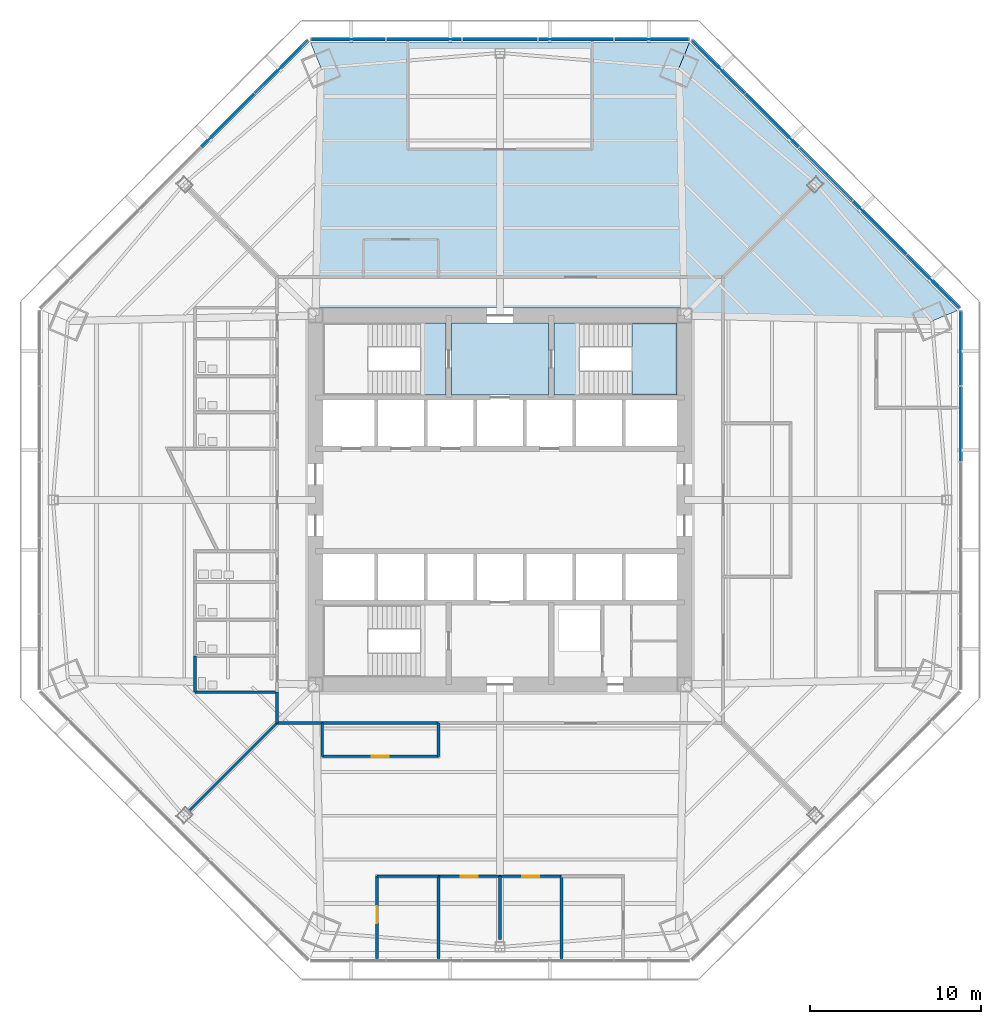
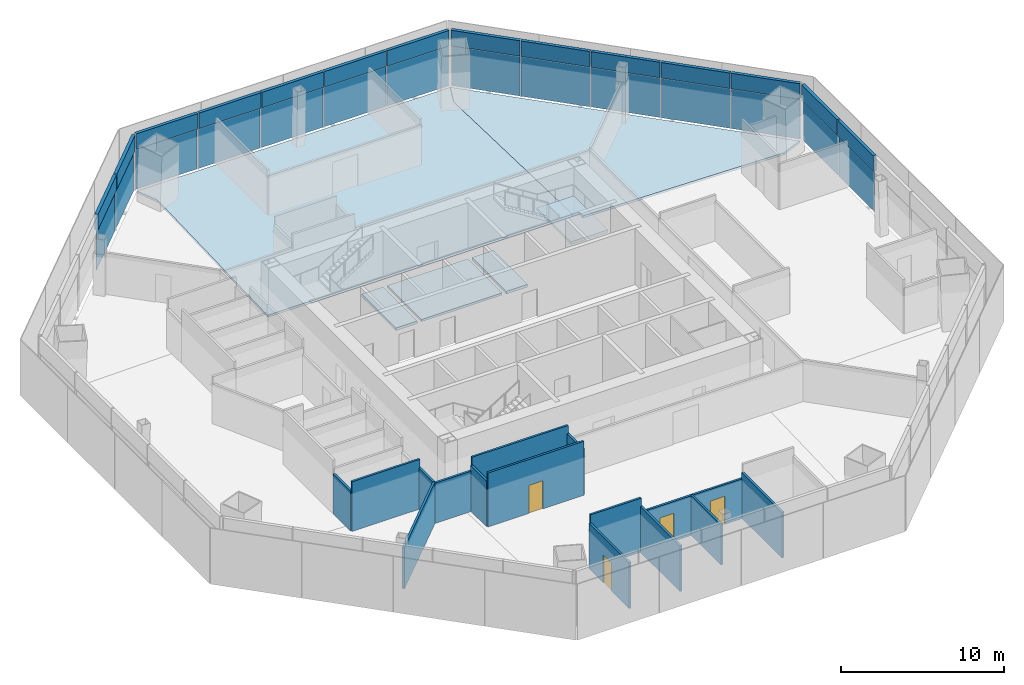
# One storey, part 8 of 15: 28 plates, 15 walls, 6 slabs, 4 doors, 4 openings, 6 elements without a shape of their own.
"""IFC4 building model written with IfcOpenShell, lengths in metres."""

from ifc_helpers import new_model, si_unit, direction, frame, frame_2d, origin, origin_2d, place, context, subcontext, project, spatial, polyline, rectangle, outline, extrude, source, transform, mapped, material, layer, layer_set, type_object, type_shapes, element, fill, aggregate, save


model = new_model("IFC4")

# Units and contexts
model_context = context("Model", 3, precision=1e-05, world=origin(), true_north=direction((0.0, 1.0)))
body_context = subcontext(model_context, "Body", "Model", "MODEL_VIEW")
ifc_project = project(units=[si_unit("LENGTHUNIT", "METRE"), si_unit("AREAUNIT", "SQUARE_METRE"), si_unit("VOLUMEUNIT", "CUBIC_METRE"), si_unit("PLANEANGLEUNIT", "RADIAN"), si_unit("MASSUNIT", "GRAM", prefix="KILO")], contexts=[model_context])

# Site, building, storey
site_placement = place(None, origin())
site = spatial("IfcSite", under=ifc_project, at=site_placement, CompositionType="ELEMENT")
building_placement = place(site_placement, origin())
building = spatial("IfcBuilding", under=site, at=building_placement, Name="Mashrafa Tower", CompositionType="ELEMENT")
storey_placement = place(building_placement, frame((0.0, 0.0, 37.199951171875)))
storey = spatial("IfcBuildingStorey", under=building, at=storey_placement, Name="L07", CompositionType="ELEMENT", Elevation=37.199951171875)

# Slabs
ifc_material_1 = material(Name="Concrete C35/45", Category="concrete")
ifc_layer_1 = layer(ifc_material_1, 0.1650390625)
ifc_layer_set_1 = layer_set([ifc_layer_1], Name="Floor slab 165")
slab_type_1 = type_object("IfcSlabType", Name="Floor slab 165", PredefinedType="FLOOR", material=ifc_layer_set_1)
slab_1_placement = place(storey_placement, frame((0.0, 0.0, -0.1650390625)))
element("IfcSlab", 1, at=slab_1_placement, inside=storey, type_object=slab_type_1, Name="Floor slab L07 north-east bay", PredefinedType="FLOOR", context=body_context, shape_type="SweptSolid", body=[
    extrude(outline(polyline([(26.762451171875, 11.08544921875), (25.288818359375, 10.47509765625), (11.25, 10.789794921875), (11.25, 11.25), (10.789794921875, 11.25), (10.47509765625, 25.288818359375), (11.08544921875, 26.762451171875), (26.762451171875, 11.08544921875)])), origin(), (0.0, 0.0, 1.0), 0.1650390625),
])
slab_2_placement = place(storey_placement, frame((0.0, 0.0, -0.1650390625)))
element("IfcSlab", 2, at=slab_2_placement, inside=storey, type_object=slab_type_1, Name="Floor slab L07 north bay", PredefinedType="FLOOR", context=body_context, shape_type="SweptSolid", body=[
    extrude(outline(polyline([(-11.08544921875, 26.762451171875), (11.08544921875, 26.762451171875), (11.08544921875, 26.762451171875), (10.47509765625, 25.288818359375), (10.789794921875, 11.25), (-10.789794921875, 11.25), (-10.47509765625, 25.288818359375), (-11.08544921875, 26.762451171875), (-11.08544921875, 26.762451171875)])), origin(), (0.0, 0.0, 1.0), 0.1650390625),
])
slab_3_placement = place(storey_placement, frame((0.0, 0.0, -0.1650390625)))
element("IfcSlab", 3, at=slab_3_placement, inside=storey, type_object=slab_type_1, Name="Core floor fire-fighting lobby north L07", PredefinedType="FLOOR", context=body_context, shape_type="SweptSolid", body=[
    extrude(outline(polyline([(-2.85009765625, 10.35009765625), (2.85009765625, 10.35009765625), (2.85009765625, 6.14990234375), (-2.85009765625, 6.14990234375), (-2.85009765625, 10.35009765625)])), origin(), (0.0, 0.0, 1.0), 0.1650390625),
])

# Stair, slab
ifc_material_2 = material(Name="Exit stair 1400")
stair_type = type_object("IfcStairType", Name="Exit stair 1400", PredefinedType="HALF_TURN_STAIR", material=ifc_material_2)
stair_1_placement = place(storey_placement, origin())
stair_1 = element("IfcStair", 4, at=stair_1_placement, inside=storey, type_object=stair_type, Name="Stair S1 L07", PredefinedType="HALF_TURN_STAIR")
ifc_material_3 = material(Name="Concrete C32/40", Category="concrete")
ifc_layer_2 = layer(ifc_material_3, 0.199951171875)
ifc_layer_set_2 = layer_set([ifc_layer_2], Name="Stair landing 200")
slab_type_2 = type_object("IfcSlabType", Name="Stair landing 200", PredefinedType="LANDING", material=ifc_layer_set_2)
slab_4_placement = place(storey_placement, frame((0.0, 0.0, -0.199951171875)))
slab_4 = element("IfcSlab", 5, at=slab_4_placement, type_object=slab_type_2, Name="S1 landing 1", PredefinedType="LANDING", context=body_context, shape_type="SweptSolid", body=[
    extrude(outline(polyline([(-4.659912109375, 6.14990234375), (-3.14990234375, 6.14990234375), (-3.14990234375, 10.35009765625), (-4.659912109375, 10.35009765625), (-4.659912109375, 6.14990234375)])), origin(), (0.0, 0.0, 1.0), 0.199951171875),
])
aggregate(stair_1, [slab_4])

# Stair, slabs
stair_2_placement = place(storey_placement, origin())
stair_2 = element("IfcStair", 6, at=stair_2_placement, inside=storey, type_object=stair_type, Name="Stair S2 L07", PredefinedType="HALF_TURN_STAIR")
slab_5_placement = place(storey_placement, frame((0.0, 0.0, -0.199951171875)))
slab_5 = element("IfcSlab", 7, at=slab_5_placement, type_object=slab_type_2, Name="S2 landing 1", PredefinedType="LANDING", context=body_context, shape_type="SweptSolid", body=[
    extrude(outline(polyline([(3.14990234375, 6.14990234375), (4.659912109375, 6.14990234375), (4.659912109375, 10.35009765625), (3.14990234375, 10.35009765625), (3.14990234375, 6.14990234375)])), origin(), (0.0, 0.0, 1.0), 0.199951171875),
])
slab_6_placement = place(storey_placement, frame((0.0, 0.0, 1.900146484375)))
slab_6 = element("IfcSlab", 8, at=slab_6_placement, type_object=slab_type_2, Name="S2 landing 2", PredefinedType="LANDING", context=body_context, shape_type="SweptSolid", body=[
    extrude(outline(polyline([(7.719970703125, 6.14990234375), (10.35009765625, 6.14990234375), (10.35009765625, 10.35009765625), (7.719970703125, 10.35009765625), (7.719970703125, 6.14990234375)])), origin(), (0.0, 0.0, 1.0), 0.199951171875),
])
aggregate(stair_2, [slab_5, slab_6])

# Curtain wall, plate
ifc_material_4 = material(Name="Unitised aluminium curtain wall", Category="aluminium")
curtain_wall_type = type_object("IfcCurtainWallType", Name="Office curtain wall, zone 1 CW-A 200 deep", PredefinedType="NOTDEFINED", material=ifc_material_4)
curtain_wall_1_placement = place(storey_placement, origin())
curtain_wall_1 = element("IfcCurtainWall", 9, at=curtain_wall_1_placement, inside=storey, type_object=curtain_wall_type, Name="Office curtain wall, zone 1 L07 east", PredefinedType="NOTDEFINED")
ifc_material_5 = material(Name="Insulated double glazing, low-e, neutral", Category="glass")
ifc_layer_3 = layer(ifc_material_5, 0.028076171875)
ifc_layer_set_3 = layer_set([ifc_layer_3], Name="Vision panel CW-A 28")
plate_type_1 = type_object("IfcPlateType", Name="Vision panel CW-A 28", PredefinedType="CURTAIN_PANEL", material=ifc_layer_set_3)
shared_shape_1 = source(origin(), body_context, "Body", "SweptSolid", [
    extrude(rectangle(XDim=4.34912109375, YDim=0.028076171875, at=origin_2d()), origin(), (0.0, 0.0, 1.0), 2.9599609375),
])
plate_1_placement = place(storey_placement, frame((26.96240234375, 8.877197265625, 0.0), z_axis=(0.0, 0.0, 1.0), x_axis=(0.0, 1.0, 0.0)))
plate_1 = element("IfcPlate", 10, at=plate_1_placement, type_object=plate_type_1, Name="CW-A vision panel 5", PredefinedType="CURTAIN_PANEL", context=body_context, shape_type="MappedRepresentation", body=[
    mapped(shared_shape_1, transform((0.0, 0.0, 0.0))),
])

# Curtain wall, plates
curtain_wall_2_placement = place(storey_placement, origin())
curtain_wall_2 = element("IfcCurtainWall", 11, at=curtain_wall_2_placement, inside=storey, type_object=curtain_wall_type, Name="Office curtain wall, zone 1 L07 north-east", PredefinedType="NOTDEFINED")
plate_2_placement = place(storey_placement, frame((25.34228515625, 12.7880859375, 0.0), z_axis=(0.0, 0.0, 1.0), x_axis=(-0.707106781187, 0.707106781187, 0.0)))
plate_2 = element("IfcPlate", 12, at=plate_2_placement, type_object=plate_type_1, Name="CW-A vision panel 1", PredefinedType="CURTAIN_PANEL", context=body_context, shape_type="MappedRepresentation", body=[
    mapped(shared_shape_1, transform((0.0, 0.0, 0.0))),
])
plate_3_placement = place(storey_placement, frame((12.7880859375, 25.34228515625, 0.0), z_axis=(0.0, 0.0, 1.0), x_axis=(-0.707106781187, 0.707106781187, 0.0)))
plate_3 = element("IfcPlate", 13, at=plate_3_placement, type_object=plate_type_1, Name="CW-A vision panel 5", PredefinedType="CURTAIN_PANEL", context=body_context, shape_type="MappedRepresentation", body=[
    mapped(shared_shape_1, transform((0.0, 0.0, 0.0))),
])

curtain_wall_3_placement = place(storey_placement, origin())
curtain_wall_3 = element("IfcCurtainWall", 14, at=curtain_wall_3_placement, inside=storey, type_object=curtain_wall_type, Name="Office curtain wall, zone 1 L07 north", PredefinedType="NOTDEFINED")
plate_4_placement = place(storey_placement, frame((8.877197265625, 26.96240234375, 0.0), z_axis=(0.0, 0.0, 1.0), x_axis=(-1.0, 0.0, 0.0)))
plate_4 = element("IfcPlate", 15, at=plate_4_placement, type_object=plate_type_1, Name="CW-A vision panel 1", PredefinedType="CURTAIN_PANEL", context=body_context, shape_type="MappedRepresentation", body=[
    mapped(shared_shape_1, transform((0.0, 0.0, 0.0))),
])
plate_5_placement = place(storey_placement, frame((-8.877197265625, 26.96240234375, 0.0), z_axis=(0.0, 0.0, 1.0), x_axis=(-1.0, 0.0, 0.0)))
plate_5 = element("IfcPlate", 16, at=plate_5_placement, type_object=plate_type_1, Name="CW-A vision panel 5", PredefinedType="CURTAIN_PANEL", context=body_context, shape_type="MappedRepresentation", body=[
    mapped(shared_shape_1, transform((0.0, 0.0, 0.0))),
])

# Curtain wall, plate
curtain_wall_4_placement = place(storey_placement, origin())
curtain_wall_4 = element("IfcCurtainWall", 17, at=curtain_wall_4_placement, inside=storey, type_object=curtain_wall_type, Name="Office curtain wall, zone 1 L07 north-west", PredefinedType="NOTDEFINED")
plate_6_placement = place(storey_placement, frame((-12.7880859375, 25.34228515625, 0.0), z_axis=(0.0, 0.0, 1.0), x_axis=(-0.707106781187, -0.707106781187, 0.0)))
plate_6 = element("IfcPlate", 18, at=plate_6_placement, type_object=plate_type_1, Name="CW-A vision panel 1", PredefinedType="CURTAIN_PANEL", context=body_context, shape_type="MappedRepresentation", body=[
    mapped(shared_shape_1, transform((0.0, 0.0, 0.0))),
])

# Plate
ifc_material_6 = material(Name="Insulated aluminium spandrel panel", Category="aluminium")
ifc_layer_4 = layer(ifc_material_6, 0.219970703125)
ifc_layer_set_4 = layer_set([ifc_layer_4], Name="Spandrel panel CW-A 220")
plate_type_2 = type_object("IfcPlateType", Name="Spandrel panel CW-A 220", PredefinedType="CURTAIN_PANEL", material=ifc_layer_set_4)
shared_shape_2 = source(origin(), body_context, "Body", "SweptSolid", [
    extrude(rectangle(XDim=4.34912109375, YDim=0.219970703125, at=origin_2d()), origin(), (0.0, 0.0, 1.0), 1.159912109375),
])
plate_7_placement = place(storey_placement, frame((26.96240234375, 8.877197265625, 3.0400390625), z_axis=(0.0, 0.0, 1.0), x_axis=(0.0, 1.0, 0.0)))
plate_7 = element("IfcPlate", 19, at=plate_7_placement, type_object=plate_type_2, Name="CW-A spandrel panel 5", PredefinedType="CURTAIN_PANEL", context=body_context, shape_type="MappedRepresentation", body=[
    mapped(shared_shape_2, transform((0.0, 0.0, 0.0))),
])

plate_8_placement = place(storey_placement, frame((25.34228515625, 12.7880859375, 3.0400390625), z_axis=(0.0, 0.0, 1.0), x_axis=(-0.707106781187, 0.707106781187, 0.0)))
plate_8 = element("IfcPlate", 20, at=plate_8_placement, type_object=plate_type_2, Name="CW-A spandrel panel 1", PredefinedType="CURTAIN_PANEL", context=body_context, shape_type="MappedRepresentation", body=[
    mapped(shared_shape_2, transform((0.0, 0.0, 0.0))),
])

plate_9_placement = place(storey_placement, frame((12.7880859375, 25.34228515625, 3.0400390625), z_axis=(0.0, 0.0, 1.0), x_axis=(-0.707106781187, 0.707106781187, 0.0)))
plate_9 = element("IfcPlate", 21, at=plate_9_placement, type_object=plate_type_2, Name="CW-A spandrel panel 5", PredefinedType="CURTAIN_PANEL", context=body_context, shape_type="MappedRepresentation", body=[
    mapped(shared_shape_2, transform((0.0, 0.0, 0.0))),
])

plate_10_placement = place(storey_placement, frame((8.877197265625, 26.96240234375, 3.0400390625), z_axis=(0.0, 0.0, 1.0), x_axis=(-1.0, 0.0, 0.0)))
plate_10 = element("IfcPlate", 22, at=plate_10_placement, type_object=plate_type_2, Name="CW-A spandrel panel 1", PredefinedType="CURTAIN_PANEL", context=body_context, shape_type="MappedRepresentation", body=[
    mapped(shared_shape_2, transform((0.0, 0.0, 0.0))),
])

plate_11_placement = place(storey_placement, frame((-8.877197265625, 26.96240234375, 3.0400390625), z_axis=(0.0, 0.0, 1.0), x_axis=(-1.0, 0.0, 0.0)))
plate_11 = element("IfcPlate", 23, at=plate_11_placement, type_object=plate_type_2, Name="CW-A spandrel panel 5", PredefinedType="CURTAIN_PANEL", context=body_context, shape_type="MappedRepresentation", body=[
    mapped(shared_shape_2, transform((0.0, 0.0, 0.0))),
])

plate_12_placement = place(storey_placement, frame((-12.7880859375, 25.34228515625, 3.0400390625), z_axis=(0.0, 0.0, 1.0), x_axis=(-0.707106781187, -0.707106781187, 0.0)))
plate_12 = element("IfcPlate", 24, at=plate_12_placement, type_object=plate_type_2, Name="CW-A spandrel panel 1", PredefinedType="CURTAIN_PANEL", context=body_context, shape_type="MappedRepresentation", body=[
    mapped(shared_shape_2, transform((0.0, 0.0, 0.0))),
])

shared_shape_3 = source(origin(), body_context, "Body", "SweptSolid", [
    extrude(rectangle(XDim=4.381591796875, YDim=0.028076171875, at=origin_2d()), origin(), (0.0, 0.0, 1.0), 2.9599609375),
])
type_shapes(plate_type_1, [shared_shape_1, shared_shape_3])
plate_13_placement = place(storey_placement, frame((26.96240234375, 4.44677734375, 0.0), z_axis=(0.0, 0.0, 1.0), x_axis=(0.0, 1.0, 0.0)))
plate_13 = element("IfcPlate", 25, at=plate_13_placement, type_object=plate_type_1, Name="CW-A vision panel 4", PredefinedType="CURTAIN_PANEL", context=body_context, shape_type="MappedRepresentation", body=[
    mapped(shared_shape_3, transform((0.0, 0.0, 0.0))),
])

plate_14_placement = place(storey_placement, frame((22.20947265625, 15.9208984375, 0.0), z_axis=(0.0, 0.0, 1.0), x_axis=(-0.707106781187, 0.707106781187, 0.0)))
plate_14 = element("IfcPlate", 26, at=plate_14_placement, type_object=plate_type_1, Name="CW-A vision panel 2", PredefinedType="CURTAIN_PANEL", context=body_context, shape_type="MappedRepresentation", body=[
    mapped(shared_shape_3, transform((0.0, 0.0, 0.0))),
])

plate_15_placement = place(storey_placement, frame((19.065185546875, 19.065185546875, 0.0), z_axis=(0.0, 0.0, 1.0), x_axis=(-0.707106781187, 0.707106781187, 0.0)))
plate_15 = element("IfcPlate", 27, at=plate_15_placement, type_object=plate_type_1, Name="CW-A vision panel 3", PredefinedType="CURTAIN_PANEL", context=body_context, shape_type="MappedRepresentation", body=[
    mapped(shared_shape_3, transform((0.0, 0.0, 0.0))),
])

plate_16_placement = place(storey_placement, frame((15.9208984375, 22.20947265625, 0.0), z_axis=(0.0, 0.0, 1.0), x_axis=(-0.707106781187, 0.707106781187, 0.0)))
plate_16 = element("IfcPlate", 28, at=plate_16_placement, type_object=plate_type_1, Name="CW-A vision panel 4", PredefinedType="CURTAIN_PANEL", context=body_context, shape_type="MappedRepresentation", body=[
    mapped(shared_shape_3, transform((0.0, 0.0, 0.0))),
])

plate_17_placement = place(storey_placement, frame((4.44677734375, 26.96240234375, 0.0), z_axis=(0.0, 0.0, 1.0), x_axis=(-1.0, 0.0, 0.0)))
plate_17 = element("IfcPlate", 29, at=plate_17_placement, type_object=plate_type_1, Name="CW-A vision panel 2", PredefinedType="CURTAIN_PANEL", context=body_context, shape_type="MappedRepresentation", body=[
    mapped(shared_shape_3, transform((0.0, 0.0, 0.0))),
])

plate_18_placement = place(storey_placement, frame((0.0, 26.96240234375, 0.0), z_axis=(0.0, 0.0, 1.0), x_axis=(-1.0, 0.0, 0.0)))
plate_18 = element("IfcPlate", 30, at=plate_18_placement, type_object=plate_type_1, Name="CW-A vision panel 3", PredefinedType="CURTAIN_PANEL", context=body_context, shape_type="MappedRepresentation", body=[
    mapped(shared_shape_3, transform((0.0, 0.0, 0.0))),
])

plate_19_placement = place(storey_placement, frame((-4.44677734375, 26.96240234375, 0.0), z_axis=(0.0, 0.0, 1.0), x_axis=(-1.0, 0.0, 0.0)))
plate_19 = element("IfcPlate", 31, at=plate_19_placement, type_object=plate_type_1, Name="CW-A vision panel 4", PredefinedType="CURTAIN_PANEL", context=body_context, shape_type="MappedRepresentation", body=[
    mapped(shared_shape_3, transform((0.0, 0.0, 0.0))),
])

plate_20_placement = place(storey_placement, frame((-15.9208984375, 22.20947265625, 0.0), z_axis=(0.0, 0.0, 1.0), x_axis=(-0.707106781187, -0.707106781187, 0.0)))
plate_20 = element("IfcPlate", 32, at=plate_20_placement, type_object=plate_type_1, Name="CW-A vision panel 2", PredefinedType="CURTAIN_PANEL", context=body_context, shape_type="MappedRepresentation", body=[
    mapped(shared_shape_3, transform((0.0, 0.0, 0.0))),
])

shared_shape_4 = source(origin(), body_context, "Body", "SweptSolid", [
    extrude(rectangle(XDim=4.381591796875, YDim=0.219970703125, at=origin_2d()), origin(), (0.0, 0.0, 1.0), 1.159912109375),
])
type_shapes(plate_type_2, [shared_shape_2, shared_shape_4])
plate_21_placement = place(storey_placement, frame((26.96240234375, 4.44677734375, 3.0400390625), z_axis=(0.0, 0.0, 1.0), x_axis=(0.0, 1.0, 0.0)))
plate_21 = element("IfcPlate", 33, at=plate_21_placement, type_object=plate_type_2, Name="CW-A spandrel panel 4", PredefinedType="CURTAIN_PANEL", context=body_context, shape_type="MappedRepresentation", body=[
    mapped(shared_shape_4, transform((0.0, 0.0, 0.0))),
])

aggregate(curtain_wall_1, [plate_13, plate_21, plate_1, plate_7])

plate_22_placement = place(storey_placement, frame((22.20947265625, 15.9208984375, 3.0400390625), z_axis=(0.0, 0.0, 1.0), x_axis=(-0.707106781187, 0.707106781187, 0.0)))
plate_22 = element("IfcPlate", 34, at=plate_22_placement, type_object=plate_type_2, Name="CW-A spandrel panel 2", PredefinedType="CURTAIN_PANEL", context=body_context, shape_type="MappedRepresentation", body=[
    mapped(shared_shape_4, transform((0.0, 0.0, 0.0))),
])

plate_23_placement = place(storey_placement, frame((19.065185546875, 19.065185546875, 3.0400390625), z_axis=(0.0, 0.0, 1.0), x_axis=(-0.707106781187, 0.707106781187, 0.0)))
plate_23 = element("IfcPlate", 35, at=plate_23_placement, type_object=plate_type_2, Name="CW-A spandrel panel 3", PredefinedType="CURTAIN_PANEL", context=body_context, shape_type="MappedRepresentation", body=[
    mapped(shared_shape_4, transform((0.0, 0.0, 0.0))),
])

plate_24_placement = place(storey_placement, frame((15.9208984375, 22.20947265625, 3.0400390625), z_axis=(0.0, 0.0, 1.0), x_axis=(-0.707106781187, 0.707106781187, 0.0)))
plate_24 = element("IfcPlate", 36, at=plate_24_placement, type_object=plate_type_2, Name="CW-A spandrel panel 4", PredefinedType="CURTAIN_PANEL", context=body_context, shape_type="MappedRepresentation", body=[
    mapped(shared_shape_4, transform((0.0, 0.0, 0.0))),
])

aggregate(curtain_wall_2, [plate_2, plate_8, plate_14, plate_22, plate_15, plate_23, plate_16, plate_24, plate_3, plate_9])

plate_25_placement = place(storey_placement, frame((4.44677734375, 26.96240234375, 3.0400390625), z_axis=(0.0, 0.0, 1.0), x_axis=(-1.0, 0.0, 0.0)))
plate_25 = element("IfcPlate", 37, at=plate_25_placement, type_object=plate_type_2, Name="CW-A spandrel panel 2", PredefinedType="CURTAIN_PANEL", context=body_context, shape_type="MappedRepresentation", body=[
    mapped(shared_shape_4, transform((0.0, 0.0, 0.0))),
])

plate_26_placement = place(storey_placement, frame((0.0, 26.96240234375, 3.0400390625), z_axis=(0.0, 0.0, 1.0), x_axis=(-1.0, 0.0, 0.0)))
plate_26 = element("IfcPlate", 38, at=plate_26_placement, type_object=plate_type_2, Name="CW-A spandrel panel 3", PredefinedType="CURTAIN_PANEL", context=body_context, shape_type="MappedRepresentation", body=[
    mapped(shared_shape_4, transform((0.0, 0.0, 0.0))),
])

plate_27_placement = place(storey_placement, frame((-4.44677734375, 26.96240234375, 3.0400390625), z_axis=(0.0, 0.0, 1.0), x_axis=(-1.0, 0.0, 0.0)))
plate_27 = element("IfcPlate", 39, at=plate_27_placement, type_object=plate_type_2, Name="CW-A spandrel panel 4", PredefinedType="CURTAIN_PANEL", context=body_context, shape_type="MappedRepresentation", body=[
    mapped(shared_shape_4, transform((0.0, 0.0, 0.0))),
])

aggregate(curtain_wall_3, [plate_4, plate_10, plate_17, plate_25, plate_18, plate_26, plate_19, plate_27, plate_5, plate_11])

plate_28_placement = place(storey_placement, frame((-15.9208984375, 22.20947265625, 3.0400390625), z_axis=(0.0, 0.0, 1.0), x_axis=(-0.707106781187, -0.707106781187, 0.0)))
plate_28 = element("IfcPlate", 40, at=plate_28_placement, type_object=plate_type_2, Name="CW-A spandrel panel 2", PredefinedType="CURTAIN_PANEL", context=body_context, shape_type="MappedRepresentation", body=[
    mapped(shared_shape_4, transform((0.0, 0.0, 0.0))),
])

aggregate(curtain_wall_4, [plate_6, plate_12, plate_20, plate_28])

# Walls
ifc_material_7 = material(Name="Gypsum board on steel studs", Category="steel")
ifc_layer_5 = layer(ifc_material_7, 0.14990234375)
ifc_layer_set_5 = layer_set([ifc_layer_5], Name="Corridor partition 150 1 hr")
wall_type_1 = type_object("IfcWallType", Name="Corridor partition 150 1 hr", PredefinedType="PARTITIONING", material=ifc_layer_set_5)
wall_1_placement = place(storey_placement, frame((-10.40087890625, -13.050048828125, 0.0), z_axis=(0.0, 0.0, 1.0), x_axis=(1.0, 0.0, 0.0)))
element("IfcWall", 41, at=wall_1_placement, inside=storey, type_object=wall_type_1, Name="Corridor wall L07-012", PredefinedType="PARTITIONING", context=body_context, shape_type="SweptSolid", body=[
    extrude(rectangle(XDim=6.8017578125, YDim=0.14990234375, at=frame_2d((3.40087890625, 0.0))), origin(), (0.0, 0.0, 1.0), 4.03515625),
])
wall_2_placement = place(storey_placement, frame((-13.050048828125, -13.050048828125, 0.0), z_axis=(0.0, 0.0, 1.0), x_axis=(1.0, 0.0, 0.0)))
element("IfcWall", 42, at=wall_2_placement, inside=storey, type_object=wall_type_1, Name="Corridor wall L07-017", PredefinedType="PARTITIONING", context=body_context, shape_type="SweptSolid", body=[
    extrude(rectangle(XDim=2.651123046875, YDim=0.14990234375, at=frame_2d((1.32568359375, 0.0))), origin(), (0.0, 0.0, 1.0), 3.01416015625),
])
wall_3_placement = place(storey_placement, frame((-13.050048828125, -11.2490234375, 0.0), z_axis=(0.0, 0.0, 1.0), x_axis=(0.0, -1.0, 0.0)))
element("IfcWall", 43, at=wall_3_placement, inside=storey, type_object=wall_type_1, Name="Corridor wall L07-019", PredefinedType="PARTITIONING", context=body_context, shape_type="SweptSolid", body=[
    extrude(rectangle(XDim=1.801025390625, YDim=0.14990234375, at=frame_2d((0.900390625, 0.0))), origin(), (0.0, 0.0, 1.0), 3.097900390625),
])
ifc_material_8 = material(Name="Gypsum board on steel studs", Category="steel")
ifc_layer_6 = layer(ifc_material_8, 0.14990234375)
ifc_layer_set_6 = layer_set([ifc_layer_6], Name="Partition 150")
wall_type_2 = type_object("IfcWallType", Name="Partition 150", PredefinedType="PARTITIONING", material=ifc_layer_set_6)
wall_4_placement = place(storey_placement, frame((-17.85009765625, -9.125, 0.0), z_axis=(0.0, 0.0, 1.0), x_axis=(0.0, -1.0, 0.0)))
element("IfcWall", 44, at=wall_4_placement, inside=storey, type_object=wall_type_2, Name="Partition wall L07-031", PredefinedType="PARTITIONING", context=body_context, shape_type="SweptSolid", body=[
    extrude(rectangle(XDim=2.125, YDim=0.14990234375, at=frame_2d((1.0625, 0.0))), origin(), (0.0, 0.0, 1.0), 3.01416015625),
])
wall_5_placement = place(storey_placement, frame((-17.85009765625, -11.25, 0.0), z_axis=(0.0, 0.0, 1.0), x_axis=(1.0, 0.0, 0.0)))
element("IfcWall", 45, at=wall_5_placement, inside=storey, type_object=wall_type_2, Name="Partition wall L07-032", PredefinedType="PARTITIONING", context=body_context, shape_type="SweptSolid", body=[
    extrude(rectangle(XDim=4.800048828125, YDim=0.14990234375, at=frame_2d((2.39990234375, 0.0))), origin(), (0.0, 0.0, 1.0), 3.715087890625),
])
wall_6_placement = place(storey_placement, frame((-10.39990234375, -13.050048828125, 0.0), z_axis=(0.0, 0.0, 1.0), x_axis=(0.0, -1.0, 0.0)))
element("IfcWall", 46, at=wall_6_placement, inside=storey, type_object=wall_type_2, Name="Partition wall L07-051", PredefinedType="PARTITIONING", context=body_context, shape_type="SweptSolid", body=[
    extrude(rectangle(XDim=1.949951171875, YDim=0.14990234375, at=frame_2d((0.97509765625, 0.0))), origin(), (0.0, 0.0, 1.0), 3.425537109375),
])

# Wall, opening, door
wall_7_placement = place(storey_placement, frame((-10.39990234375, -15.0, 0.0), z_axis=(0.0, 0.0, 1.0), x_axis=(1.0, 0.0, 0.0)))
wall_7 = element("IfcWall", 47, at=wall_7_placement, inside=storey, type_object=wall_type_2, Name="Partition wall L07-052", PredefinedType="PARTITIONING", context=body_context, shape_type="SweptSolid", body=[
    extrude(rectangle(XDim=6.7998046875, YDim=0.14990234375, at=frame_2d((3.39990234375, 0.0))), origin(), (0.0, 0.0, 1.0), 4.03515625),
])
opening_1_placement = place(wall_7_placement, frame((2.89990234375, 0.0, 0.0)))
opening_1 = element("IfcOpeningElement", 48, at=opening_1_placement, cuts=wall_7, Name="Opening 07.013", PredefinedType="OPENING", context=body_context, shape_type="SweptSolid", body=[
    extrude(rectangle(XDim=1.0, YDim=2.10009765625, at=frame_2d((0.5, 1.050048828125))), frame((0.0, 0.0849609375, 0.0), z_axis=(0.0, -1.0, 0.0), x_axis=(1.0, 0.0, 0.0)), (0.0, 0.0, 1.0), 0.169921875),
])
ifc_material_9 = material(Name="Timber door", Category="wood")
door_type = type_object("IfcDoorType", Name="Door 1000 x 2100", OperationType="USERDEFINED", PredefinedType="DOOR", material=ifc_material_9)
door_1_placement = place(opening_1_placement, origin())
door_1 = element("IfcDoor", 49, at=door_1_placement, inside=storey, type_object=door_type, Name="Copy and Print Room 07 door", OperationType="SINGLE_SWING_LEFT", OverallHeight=2.10009765625, OverallWidth=1.0, PredefinedType="DOOR", context=body_context, shape_type="SweptSolid", body=[
    extrude(rectangle(XDim=1.0, YDim=2.10009765625, at=frame_2d((0.5, 1.050048828125))), frame((0.0, 0.02490234375, 0.0), z_axis=(0.0, -1.0, 0.0), x_axis=(1.0, 0.0, 0.0)), (0.0, 0.0, 1.0), 0.050048828125),
])
fill(opening_1, door_1)

# Walls
wall_8_placement = place(storey_placement, frame((-3.60009765625, -15.0, 0.0), z_axis=(0.0, 0.0, 1.0), x_axis=(0.0, 1.0, 0.0)))
element("IfcWall", 50, at=wall_8_placement, inside=storey, type_object=wall_type_2, Name="Partition wall L07-053", PredefinedType="PARTITIONING", context=body_context, shape_type="SweptSolid", body=[
    extrude(rectangle(XDim=1.949951171875, YDim=0.14990234375, at=frame_2d((0.97509765625, 0.0))), origin(), (0.0, 0.0, 1.0), 3.425537109375),
])
wall_9_placement = place(storey_placement, frame((-3.60009765625, -26.9443359375, 0.0), z_axis=(0.0, 0.0, 1.0), x_axis=(0.0, 1.0, 0.0)))
element("IfcWall", 51, at=wall_9_placement, inside=storey, type_object=wall_type_2, Name="Partition wall L07-054", PredefinedType="PARTITIONING", context=body_context, shape_type="SweptSolid", body=[
    extrude(rectangle(XDim=4.931884765625, YDim=0.14990234375, at=frame_2d((2.4658203125, 0.0))), origin(), (0.0, 0.0, 1.0), 3.423095703125),
])
wall_10_placement = place(storey_placement, frame((-3.60009765625, -22.012451171875, 0.0), z_axis=(0.0, 0.0, 1.0), x_axis=(-1.0, 0.0, 0.0)))
element("IfcWall", 52, at=wall_10_placement, inside=storey, type_object=wall_type_2, Name="Partition wall L07-055", PredefinedType="PARTITIONING", context=body_context, shape_type="SweptSolid", body=[
    extrude(rectangle(XDim=3.599853515625, YDim=0.14990234375, at=frame_2d((1.7998046875, 0.0))), origin(), (0.0, 0.0, 1.0), 4.03515625),
])

# Wall, opening, door
wall_11_placement = place(storey_placement, frame((-7.199951171875, -22.012451171875, 0.0), z_axis=(0.0, 0.0, 1.0), x_axis=(0.0, -1.0, 0.0)))
wall_11 = element("IfcWall", 53, at=wall_11_placement, inside=storey, type_object=wall_type_2, Name="Partition wall L07-056", PredefinedType="PARTITIONING", context=body_context, shape_type="SweptSolid", body=[
    extrude(rectangle(XDim=4.933837890625, YDim=0.14990234375, at=frame_2d((2.466796875, 0.0))), origin(), (0.0, 0.0, 1.0), 3.423095703125),
])
opening_2_placement = place(wall_11_placement, frame((1.75, 0.0, 0.0)))
opening_2 = element("IfcOpeningElement", 54, at=opening_2_placement, cuts=wall_11, Name="Opening 07.014", PredefinedType="OPENING", context=body_context, shape_type="SweptSolid", body=[
    extrude(rectangle(XDim=1.0, YDim=2.10009765625, at=frame_2d((0.5, 1.050048828125))), frame((0.0, 0.0849609375, 0.0), z_axis=(0.0, -1.0, 0.0), x_axis=(1.0, 0.0, 0.0)), (0.0, 0.0, 1.0), 0.169921875),
])
door_2_placement = place(opening_2_placement, origin())
door_2 = element("IfcDoor", 55, at=door_2_placement, inside=storey, type_object=door_type, Name="Executive Office 07-1 door", OperationType="SINGLE_SWING_RIGHT", OverallHeight=2.10009765625, OverallWidth=1.0, PredefinedType="DOOR", context=body_context, shape_type="SweptSolid", body=[
    extrude(rectangle(XDim=1.0, YDim=2.10009765625, at=frame_2d((0.5, 1.050048828125))), frame((0.0, 0.02490234375, 0.0), z_axis=(0.0, -1.0, 0.0), x_axis=(1.0, 0.0, 0.0)), (0.0, 0.0, 1.0), 0.050048828125),
])
fill(opening_2, door_2)

# Wall
wall_12_placement = place(storey_placement, frame((0.0, -25.724365234375, 0.0), z_axis=(0.0, 0.0, 1.0), x_axis=(0.0, 1.0, 0.0)))
element("IfcWall", 56, at=wall_12_placement, inside=storey, type_object=wall_type_2, Name="Partition wall L07-057", PredefinedType="PARTITIONING", context=body_context, shape_type="SweptSolid", body=[
    extrude(rectangle(XDim=3.7119140625, YDim=0.14990234375, at=frame_2d((1.85595703125, 0.0))), origin(), (0.0, 0.0, 1.0), 2.983642578125),
])

# Wall, openings, doors
wall_13_placement = place(storey_placement, frame((-3.60009765625, -22.012451171875, 0.0), z_axis=(0.0, 0.0, 1.0), x_axis=(1.0, 0.0, 0.0)))
wall_13 = element("IfcWall", 57, at=wall_13_placement, inside=storey, type_object=wall_type_2, Name="Partition wall L07-058", PredefinedType="PARTITIONING", context=body_context, shape_type="SweptSolid", body=[
    extrude(rectangle(XDim=7.2001953125, YDim=0.14990234375, at=frame_2d((3.60009765625, 0.0))), origin(), (0.0, 0.0, 1.0), 2.983642578125),
])
opening_3_placement = place(wall_13_placement, frame((1.300048828125, 0.0, 0.0)))
opening_3 = element("IfcOpeningElement", 58, at=opening_3_placement, cuts=wall_13, Name="Opening 07.015", PredefinedType="OPENING", context=body_context, shape_type="SweptSolid", body=[
    extrude(rectangle(XDim=1.0, YDim=2.10009765625, at=frame_2d((0.5, 1.050048828125))), frame((0.0, 0.0849609375, 0.0), z_axis=(0.0, -1.0, 0.0), x_axis=(1.0, 0.0, 0.0)), (0.0, 0.0, 1.0), 0.169921875),
])
opening_4_placement = place(wall_13_placement, frame((4.89990234375, 0.0, 0.0)))
opening_4 = element("IfcOpeningElement", 59, at=opening_4_placement, cuts=wall_13, Name="Opening 07.016", PredefinedType="OPENING", context=body_context, shape_type="SweptSolid", body=[
    extrude(rectangle(XDim=1.0, YDim=2.10009765625, at=frame_2d((0.5, 1.050048828125))), frame((0.0, 0.0849609375, 0.0), z_axis=(0.0, -1.0, 0.0), x_axis=(1.0, 0.0, 0.0)), (0.0, 0.0, 1.0), 0.169921875),
])
door_3_placement = place(opening_3_placement, frame((1.0, 0.0, 0.0), z_axis=(0.0, 0.0, 1.0), x_axis=(-1.0, 0.0, 0.0)))
door_3 = element("IfcDoor", 60, at=door_3_placement, inside=storey, type_object=door_type, Name="Executive Office 07-2 door", OperationType="SINGLE_SWING_RIGHT", OverallHeight=2.10009765625, OverallWidth=1.0, PredefinedType="DOOR", context=body_context, shape_type="SweptSolid", body=[
    extrude(rectangle(XDim=1.0, YDim=2.10009765625, at=frame_2d((0.5, 1.050048828125))), frame((0.0, 0.02490234375, 0.0), z_axis=(0.0, -1.0, 0.0), x_axis=(1.0, 0.0, 0.0)), (0.0, 0.0, 1.0), 0.050048828125),
])
fill(opening_3, door_3)
door_4_placement = place(opening_4_placement, frame((1.0, 0.0, 0.0), z_axis=(0.0, 0.0, 1.0), x_axis=(-1.0, 0.0, 0.0)))
door_4 = element("IfcDoor", 61, at=door_4_placement, inside=storey, type_object=door_type, Name="Executive Office 07-3 door", OperationType="SINGLE_SWING_RIGHT", OverallHeight=2.10009765625, OverallWidth=1.0, PredefinedType="DOOR", context=body_context, shape_type="SweptSolid", body=[
    extrude(rectangle(XDim=1.0, YDim=2.10009765625, at=frame_2d((0.5, 1.050048828125))), frame((0.0, 0.02490234375, 0.0), z_axis=(0.0, -1.0, 0.0), x_axis=(1.0, 0.0, 0.0)), (0.0, 0.0, 1.0), 0.050048828125),
])
fill(opening_4, door_4)

# Walls
wall_14_placement = place(storey_placement, frame((3.60009765625, -26.9443359375, 0.0), z_axis=(0.0, 0.0, 1.0), x_axis=(0.0, 1.0, 0.0)))
element("IfcWall", 62, at=wall_14_placement, inside=storey, type_object=wall_type_2, Name="Partition wall L07-059", PredefinedType="PARTITIONING", context=body_context, shape_type="SweptSolid", body=[
    extrude(rectangle(XDim=4.931884765625, YDim=0.14990234375, at=frame_2d((2.4658203125, 0.0))), origin(), (0.0, 0.0, 1.0), 3.423095703125),
])
wall_15_placement = place(storey_placement, frame((-13.050048828125, -13.050048828125, 0.0), z_axis=(0.0, 0.0, 1.0), x_axis=(-0.707106781187, -0.707106781187, 0.0)))
element("IfcWall", 63, at=wall_15_placement, inside=storey, type_object=wall_type_2, Name="Partition wall L07-072", PredefinedType="PARTITIONING", context=body_context, shape_type="SweptSolid", body=[
    extrude(rectangle(XDim=7.268798828125, YDim=0.14990234375, at=frame_2d((3.63427734375, 0.0))), origin(), (0.0, 0.0, 1.0), 3.097900390625),
])

save(model, "model.ifc")
